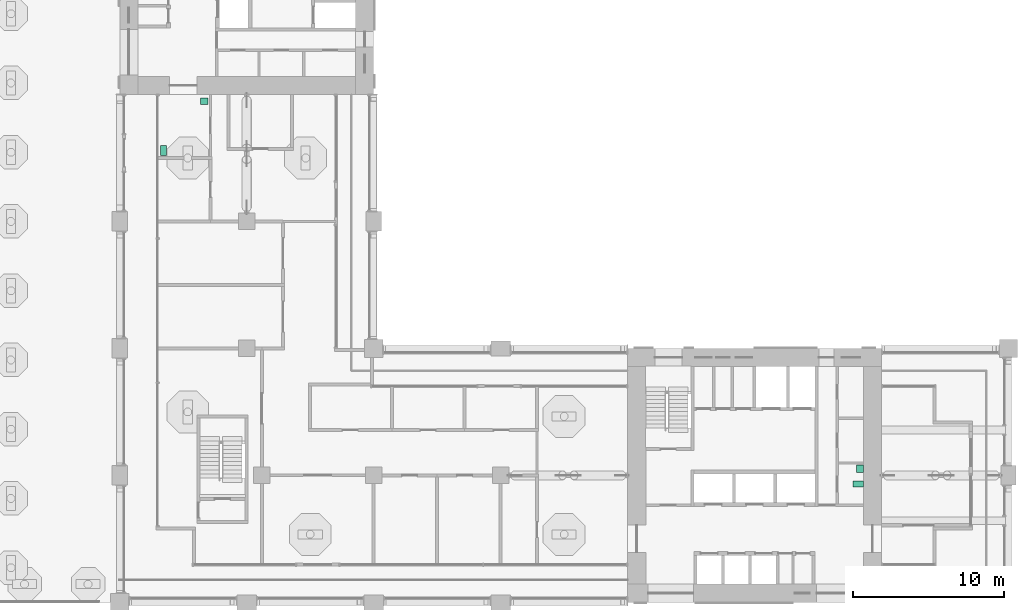
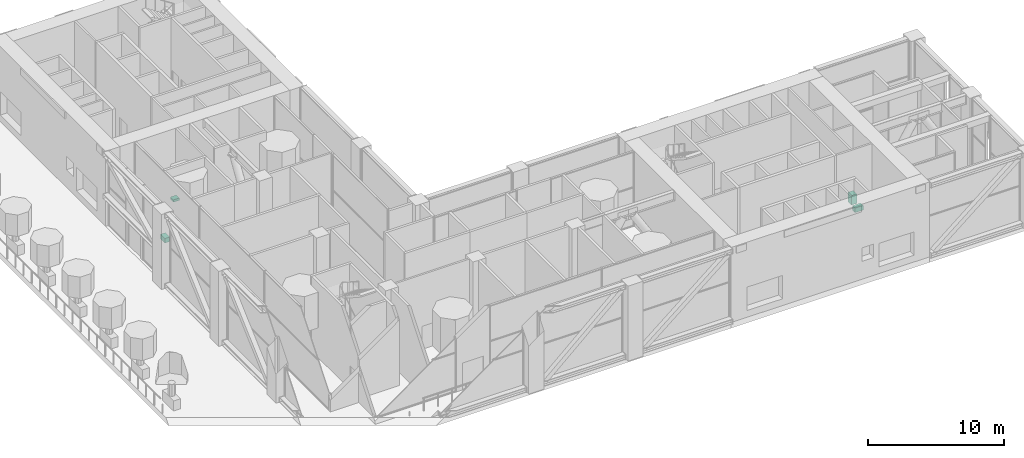
# One storey, part 20 of 22: 4 sanitary terminals.
"""IFC4 building model written with IfcOpenShell, lengths in metres."""

import ifcopenshell
import ifcopenshell.guid

model = None  # the IFC model being written
_history = None  # IfcOwnerHistory: only IFC2X3 demands one
_inside = {}  # id of a spatial element -> (the spatial element, [elements in it])
_under = {}  # id of a project, library or spatial element -> (it, [spatial elements below it])
_declared = {}  # id of a project -> (the project, [libraries it declares])
_typed = {}  # id of a type object -> (the type object, [elements of that type])
_made_of = {}  # id of a material, layer set ... -> (it, [elements and type objects made of it])


def new_model(schema):
    """Start an empty IFC model of exactly this schema.

    Asked for "IFC4X3", IfcOpenShell would pick the latest addendum, in which some entities
    have other attributes; the version numbers below select the first issue.
    IFC2X3 requires an IfcOwnerHistory on every rooted entity: one is made here for all.
    """
    global model, _history
    if schema == "IFC4X3":
        model = ifcopenshell.file(schema_version=(4, 3, 0, 0))
    else:
        model = ifcopenshell.file(schema=schema)
    _inside.clear()
    _under.clear()
    _declared.clear()
    _typed.clear()
    _made_of.clear()
    _history = None
    if model.schema == "IFC2X3":
        org = make("IfcOrganization", Name="unknown")
        user = make(
            "IfcPersonAndOrganization",
            ThePerson=make("IfcPerson", FamilyName="unknown"),
            TheOrganization=org,
        )
        app = make(
            "IfcApplication",
            ApplicationDeveloper=org,
            Version="unknown",
            ApplicationFullName="unknown",
            ApplicationIdentifier="unknown",
        )
        _history = make(
            "IfcOwnerHistory",
            OwningUser=user,
            OwningApplication=app,
            ChangeAction="ADDED",
            CreationDate=0,
        )
    return model


def make(cls, **values):
    """One entity of the class cls with the attributes given. An attribute that is None is left unset."""
    return model.create_entity(
        cls, **{name: value for name, value in values.items() if value is not None}
    )


def rooted(cls, **values):
    """An entity with a GlobalId (a new one), such as an element, a storey or a relation."""
    return make(cls, GlobalId=ifcopenshell.guid.new(), OwnerHistory=_history, **values)


def si_unit(unit_type, name, prefix=None):
    """IfcSIUnit, for example si_unit("LENGTHUNIT", "METRE", prefix="MILLI")."""
    return make("IfcSIUnit", UnitType=unit_type, Prefix=prefix, Name=name)


def assignment(units):
    """IfcUnitAssignment: the units of a project."""
    return None if units is None else make("IfcUnitAssignment", Units=units)


def point(xyz):
    """IfcCartesianPoint."""
    return None if xyz is None else make("IfcCartesianPoint", Coordinates=xyz)


def direction(xyz):
    """IfcDirection."""
    return None if xyz is None else make("IfcDirection", DirectionRatios=xyz)


def frame(location, z_axis=None, x_axis=None):
    """IfcAxis2Placement3D, a coordinate frame: its origin and axes. An axis left out is left unset."""
    return make(
        "IfcAxis2Placement3D",
        Location=point(location),
        Axis=direction(z_axis),
        RefDirection=direction(x_axis),
    )


def frame_2d(location, x_axis=None):
    """IfcAxis2Placement2D, a coordinate frame in the plane: its origin and x axis."""
    return make(
        "IfcAxis2Placement2D", Location=point(location), RefDirection=direction(x_axis)
    )


def origin():
    """The frame at (0, 0, 0) with its axes left unset."""
    return frame((0.0, 0.0, 0.0))


def origin_2d():
    """The frame at (0, 0) in the plane with its x axis left unset."""
    return frame_2d((0.0, 0.0))


def place(relative_to, where):
    """IfcLocalPlacement: puts the frame where relative to a parent placement (None: the world)."""
    return make(
        "IfcLocalPlacement", PlacementRelTo=relative_to, RelativePlacement=where
    )


def context(
    kind, dimensions, precision=None, world=None, true_north=None, identifier=None
):
    """IfcGeometricRepresentationContext, for example the 3D "Model" context."""
    return make(
        "IfcGeometricRepresentationContext",
        ContextIdentifier=identifier,
        ContextType=kind,
        CoordinateSpaceDimension=dimensions,
        Precision=precision,
        WorldCoordinateSystem=world,
        TrueNorth=true_north,
    )


def subcontext(parent, identifier, kind, view, scale=None):
    """IfcGeometricRepresentationSubContext, for example "Body" below "Model"."""
    return make(
        "IfcGeometricRepresentationSubContext",
        ContextIdentifier=identifier,
        ContextType=kind,
        ParentContext=parent,
        TargetScale=scale,
        TargetView=view,
    )


def project(units=None, contexts=None):
    """IfcProject with its units and contexts."""
    return rooted(
        "IfcProject",
        Name="project",
        RepresentationContexts=contexts,
        UnitsInContext=assignment(units),
    )


def spatial(cls, under=None, at=None, **own):
    """A site, building, storey or space (cls), placed at a placement, below another one or the project."""
    s = rooted(cls, ObjectPlacement=at, **own)
    if under is not None:
        _under.setdefault(under.id(), (under, []))[1].append(s)
    return s


def profile(cls, at=None, kind="AREA", **sizes):
    """A parametric profile (cls). Its sizes go by their IFC names, for example OverallWidth=200.0."""
    return make(cls, ProfileType=kind, Position=at, **sizes)


def rectangle(**sizes):
    """IfcRectangleProfileDef."""
    return profile("IfcRectangleProfileDef", **sizes)


def extrude(swept, where, along, depth):
    """IfcExtrudedAreaSolid: the profile swept, set in the frame where, extruded along a direction by depth."""
    return make(
        "IfcExtrudedAreaSolid",
        SweptArea=swept,
        Position=where,
        ExtrudedDirection=direction(along),
        Depth=depth,
    )


def shape(context_of_items, identifier, shape_type, items):
    """IfcShapeRepresentation: the items that make up one representation, for example the "Body"."""
    return make(
        "IfcShapeRepresentation",
        ContextOfItems=context_of_items,
        RepresentationIdentifier=identifier,
        RepresentationType=shape_type,
        Items=items,
    )


def material(Name=None, Category=None):
    """IfcMaterial."""
    return make("IfcMaterial", Name=Name, Category=Category)


def made_of(thing, what):
    """Note that an element or type object is made of a material, layer set ...; save() writes the relation."""
    if what is not None:
        _made_of.setdefault(what.id(), (what, []))[1].append(thing)
    return thing


def element(
    cls,
    number,
    at=None,
    inside=None,
    cuts=None,
    type_object=None,
    material=None,
    context=None,
    identifier="Body",
    shape_type=None,
    held_by="IfcProductDefinitionShape",
    body=None,
    shapes=None,
    **own,
):
    """One element of the class cls, such as IfcWall. Its Tag is "e" and its number.

    at: its placement. inside: the storey or other place that contains it. cuts: it is an
    opening in that element (IfcRelVoidsElement). A single representation is given by context,
    identifier, shape_type and body (its items); several are given by shapes. held_by: the class
    of the entity that holds the representations. save() writes the other relations.
    """
    e = rooted(cls, Tag="e%d" % number, ObjectPlacement=at, **own)
    if body is not None:
        shapes = [shape(context, identifier, shape_type, body)]
    if shapes is not None:
        e.Representation = make(held_by, Representations=shapes)
    if inside is not None:
        _inside.setdefault(inside.id(), (inside, []))[1].append(e)
    if cuts is not None:
        rooted(
            "IfcRelVoidsElement", RelatingBuildingElement=cuts, RelatedOpeningElement=e
        )
    if type_object is not None:
        _typed.setdefault(type_object.id(), (type_object, []))[1].append(e)
    return made_of(e, material)


def aggregate(whole, parts):
    """IfcRelAggregates: a whole, such as a stair, and the parts it consists of."""
    return rooted("IfcRelAggregates", RelatingObject=whole, RelatedObjects=parts)


def save(model, path):
    """Write the relations noted so far, then the file.

    IfcRelAggregates (storeys below a building ...), IfcRelContainedInSpatialStructure (elements
    in a storey), IfcRelDefinesByType, IfcRelAssociatesMaterial and IfcRelDeclares: one each for
    every whole, place, type object, material and project.
    """
    for whole, parts in _under.values():
        aggregate(whole, parts)
    for where, things in _inside.values():
        rooted(
            "IfcRelContainedInSpatialStructure",
            RelatedElements=things,
            RelatingStructure=where,
        )
    for kind, things in _typed.values():
        rooted("IfcRelDefinesByType", RelatedObjects=things, RelatingType=kind)
    for what, things in _made_of.values():
        rooted("IfcRelAssociatesMaterial", RelatedObjects=things, RelatingMaterial=what)
    for by, libraries in _declared.values():
        rooted("IfcRelDeclares", RelatingContext=by, RelatedDefinitions=libraries)
    model.write(path)


model = new_model("IFC4")

# Units and contexts
model_context = context("Model", 3, precision=1e-05, world=origin(), true_north=direction((0.0, 1.0)))
body_context = subcontext(model_context, "Body", "Model", "MODEL_VIEW")
ifc_project = project(units=[si_unit("LENGTHUNIT", "METRE"), si_unit("AREAUNIT", "SQUARE_METRE"), si_unit("VOLUMEUNIT", "CUBIC_METRE"), si_unit("PLANEANGLEUNIT", "RADIAN"), si_unit("MASSUNIT", "GRAM", prefix="KILO")], contexts=[model_context])

# Site, building, storey
site_placement = place(None, origin())
site = spatial("IfcSite", under=ifc_project, at=site_placement, CompositionType="ELEMENT")
building_placement = place(site_placement, origin())
building = spatial("IfcBuilding", under=site, at=building_placement, Name="Vermilion Gate Residences", CompositionType="ELEMENT")
storey_placement = place(building_placement, frame((0.0, 0.0, 140.699951171875)))
storey = spatial("IfcBuildingStorey", under=building, at=storey_placement, Name="L36", CompositionType="ELEMENT", Elevation=140.699951171875)

# Sanitary terminals
ifc_material = material(Name="Vitreous china")
sanitary_terminal_1_placement = place(storey_placement, frame((57.25, 16.219970703125, 0.0), z_axis=(0.0, 0.0, 1.0), x_axis=(1.0, 0.0, 0.0)))
element("IfcSanitaryTerminal", 1, at=sanitary_terminal_1_placement, inside=storey, material=ifc_material, Name="Toilet pan A36", PredefinedType="TOILETPAN", context=body_context, shape_type="SweptSolid", body=[
    extrude(rectangle(XDim=0.699951171875, YDim=0.39990234375, at=origin_2d()), origin(), (0.0, 0.0, 1.0), 0.39990234375),
])
sanitary_terminal_2_placement = place(storey_placement, frame((57.375, 17.239990234375, 0.0), z_axis=(0.0, 0.0, 1.0), x_axis=(1.0, 0.0, 0.0)))
element("IfcSanitaryTerminal", 2, at=sanitary_terminal_2_placement, inside=storey, material=ifc_material, Name="Washbasin A36", PredefinedType="WASHHANDBASIN", context=body_context, shape_type="SweptSolid", body=[
    extrude(rectangle(XDim=0.449951171875, YDim=0.5, at=origin_2d()), origin(), (0.0, 0.0, 1.0), 0.85009765625),
])
sanitary_terminal_3_placement = place(storey_placement, frame((11.300048828125, 38.300048828125, 0.0), z_axis=(0.0, 0.0, 1.0), x_axis=(1.0, 0.0, 0.0)))
element("IfcSanitaryTerminal", 3, at=sanitary_terminal_3_placement, inside=storey, material=ifc_material, Name="Water closet 1", PredefinedType="TOILETPAN", context=body_context, shape_type="SweptSolid", body=[
    extrude(rectangle(XDim=0.39990234375, YDim=0.64990234375, at=origin_2d()), origin(), (0.0, 0.0, 1.0), 0.39990234375),
])
sanitary_terminal_4_placement = place(storey_placement, frame((14.0, 41.550048828125, 0.7001953125), z_axis=(0.0, 0.0, 1.0), x_axis=(1.0, 0.0, 0.0)))
element("IfcSanitaryTerminal", 4, at=sanitary_terminal_4_placement, inside=storey, material=ifc_material, Name="Wash basin 2", PredefinedType="WASHHANDBASIN", context=body_context, shape_type="SweptSolid", body=[
    extrude(rectangle(XDim=0.5, YDim=0.449951171875, at=origin_2d()), origin(), (0.0, 0.0, 1.0), 0.199951171875),
])

save(model, "model.ifc")
